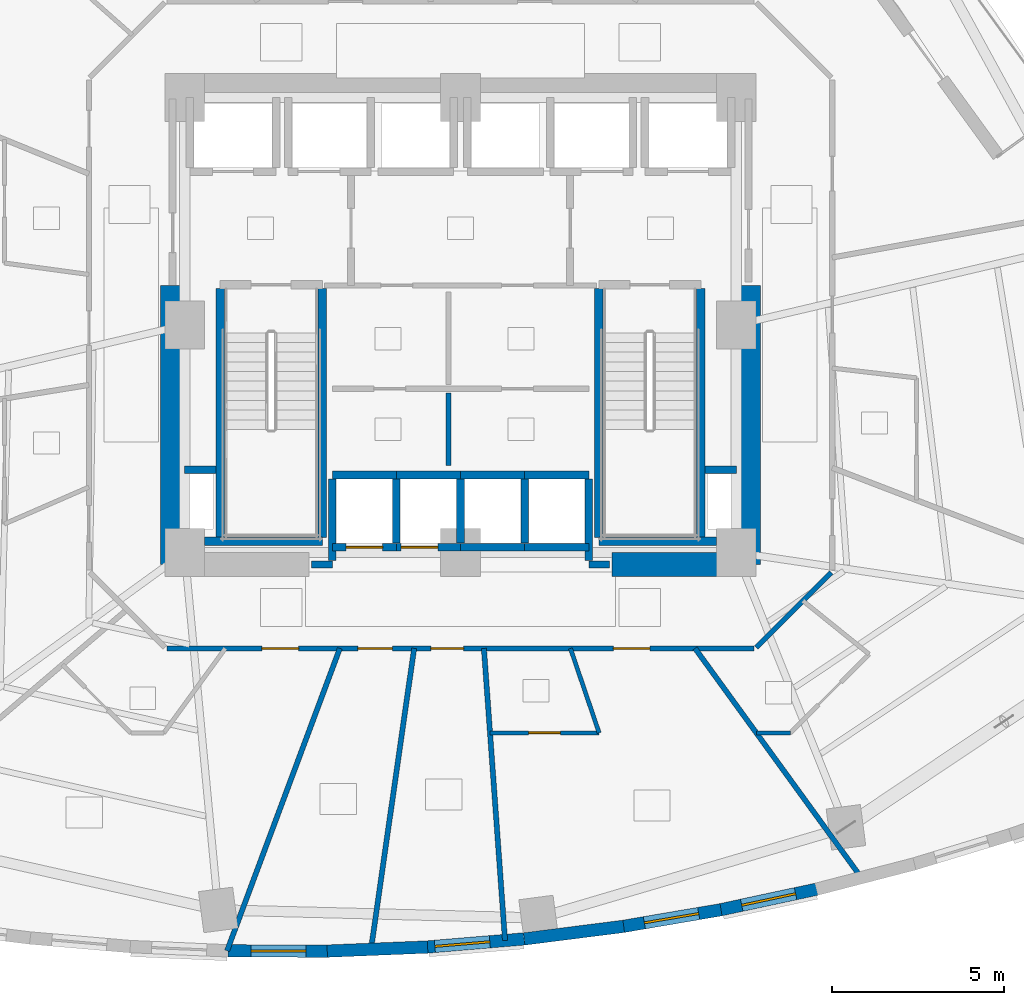
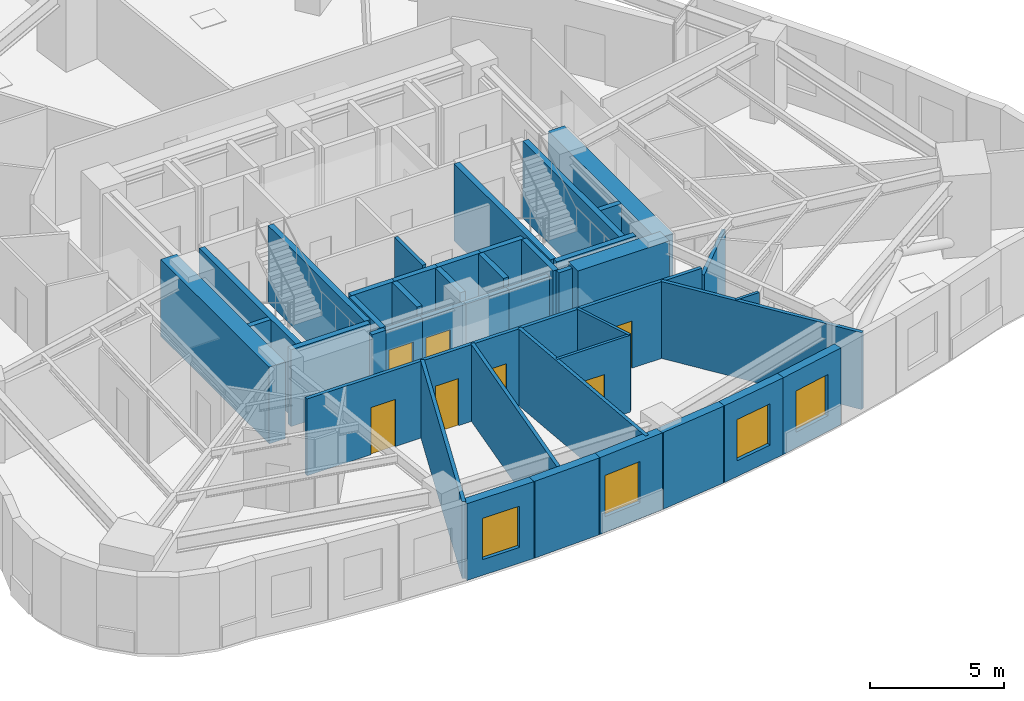
# One storey, part 9 of 15: 42 walls, 7 doors, 4 windows, 11 openings.
"""IFC4 building model written with IfcOpenShell, lengths in metres."""

from ifc_helpers import new_model, si_unit, direction, frame, frame_2d, origin, place, context, subcontext, project, spatial, rectangle, extrude, material, layer, layer_set, type_object, element, fill, save


model = new_model("IFC4")

# Units and contexts
model_context = context("Model", 3, precision=1e-05, world=origin(), true_north=direction((0.0, 1.0)))
body_context = subcontext(model_context, "Body", "Model", "MODEL_VIEW")
ifc_project = project(units=[si_unit("LENGTHUNIT", "METRE"), si_unit("AREAUNIT", "SQUARE_METRE"), si_unit("VOLUMEUNIT", "CUBIC_METRE"), si_unit("PLANEANGLEUNIT", "RADIAN"), si_unit("MASSUNIT", "GRAM", prefix="KILO")], contexts=[model_context])

# Site, building, storey
site_placement = place(None, origin())
site = spatial("IfcSite", under=ifc_project, at=site_placement, CompositionType="ELEMENT")
building_placement = place(site_placement, origin())
building = spatial("IfcBuilding", under=site, at=building_placement, Name="Ndelora Gate Hotel", CompositionType="ELEMENT")
storey_placement = place(building_placement, frame((0.0, 0.0, 56.75)))
storey = spatial("IfcBuildingStorey", under=building, at=storey_placement, Name="L13", CompositionType="ELEMENT", Elevation=56.75)

# Wall, opening, window
ifc_material_1 = material(Name="Clay Brick Masonry", Category="masonry")
ifc_layer_1 = layer(ifc_material_1, 0.360107421875)
ifc_layer_set_1 = layer_set([ifc_layer_1], Name="Clay Brick Masonry")
wall_type_1 = type_object("IfcWallType", Name="WL-BRICK-360", PredefinedType="SOLIDWALL", material=ifc_layer_set_1)
wall_1_placement = place(storey_placement, frame((-3.81591796875, -18.160400390625, 0.0), z_axis=(0.0, 0.0, 1.0), x_axis=(-0.999998606938, 0.001669168097, 0.0)))
wall_1 = element("IfcWall", 1, at=wall_1_placement, inside=storey, type_object=wall_type_1, Name="L13 Tower Brick Pier-and-Spandrel Wall TWR-32", PredefinedType="SOLIDWALL", context=body_context, shape_type="SweptSolid", body=[
    extrude(rectangle(XDim=2.92529296875, YDim=0.360107421875, at=frame_2d((1.462646484375, 0.0))), origin(), (0.0, 0.0, 1.0), 3.5),
])
opening_1_placement = place(wall_1_placement, frame((0.66259765625, 0.0, 0.719970703125)))
opening_1 = element("IfcOpeningElement", 2, at=opening_1_placement, cuts=wall_1, Name="Opening W01", PredefinedType="OPENING", context=body_context, shape_type="SweptSolid", body=[
    extrude(rectangle(XDim=1.60009765625, YDim=1.8798828125, at=frame_2d((0.800048828125, 0.93994140625))), frame((0.0, 0.18994140625, 0.0), z_axis=(0.0, -1.0, 0.0), x_axis=(1.0, 0.0, 0.0)), (0.0, 0.0, 1.0), 0.380126953125),
])
ifc_material_2 = material(Name="Insulated Low-E Double Glazing in Bronze Aluminium Frame", Category="aluminium")
window_type_1 = type_object("IfcWindowType", Name="WN-DEEP-1600", PartitioningType="SINGLE_PANEL", PredefinedType="WINDOW", material=ifc_material_2)
window_1_placement = place(opening_1_placement, origin())
window_1 = element("IfcWindow", 3, at=window_1_placement, inside=storey, type_object=window_type_1, Name="L13 Deep-Set Brick-Pier Window W01", OverallHeight=1.8798828125, OverallWidth=1.60009765625, PartitioningType="SINGLE_PANEL", PredefinedType="WINDOW", context=body_context, shape_type="SweptSolid", body=[
    extrude(rectangle(XDim=1.60009765625, YDim=1.8798828125, at=frame_2d((0.800048828125, 0.93994140625))), frame((0.0, 0.030029296875, 0.0), z_axis=(0.0, -1.0, 0.0), x_axis=(1.0, 0.0, 0.0)), (0.0, 0.0, 1.0), 0.06005859375),
])
fill(opening_1, window_1)

# Wall
wall_2_placement = place(storey_placement, frame((-0.953369140625, -18.04296875, 0.0), z_axis=(0.0, 0.0, 1.0), x_axis=(-0.99917451841, -0.040623660108, 0.0)))
element("IfcWall", 4, at=wall_2_placement, inside=storey, type_object=wall_type_1, Name="L13 Tower Brick Pier-and-Spandrel Wall TWR-33", PredefinedType="SOLIDWALL", context=body_context, shape_type="SweptSolid", body=[
    extrude(rectangle(XDim=2.914794921875, YDim=0.360107421875, at=frame_2d((1.45751953125, 0.0))), origin(), (0.0, 0.0, 1.0), 3.5),
])

# Wall, opening, window
wall_3_placement = place(storey_placement, frame((1.896484375, -17.8037109375, 0.0), z_axis=(0.0, 0.0, 1.0), x_axis=(-0.996530117069, -0.08323296086, 0.0)))
wall_3 = element("IfcWall", 5, at=wall_3_placement, inside=storey, type_object=wall_type_1, Name="L13 Tower Brick Pier-and-Spandrel Wall TWR-34", PredefinedType="SOLIDWALL", context=body_context, shape_type="SweptSolid", body=[
    extrude(rectangle(XDim=2.90966796875, YDim=0.360107421875, at=frame_2d((1.454833984375, 0.0))), origin(), (0.0, 0.0, 1.0), 3.5),
])
opening_2_placement = place(wall_3_placement, frame((1.0498046875, 0.0, 0.719970703125)))
opening_2 = element("IfcOpeningElement", 6, at=opening_2_placement, cuts=wall_3, Name="Opening W01", PredefinedType="OPENING", context=body_context, shape_type="SweptSolid", body=[
    extrude(rectangle(XDim=1.60009765625, YDim=1.8798828125, at=frame_2d((0.800048828125, 0.93994140625))), frame((0.0, 0.18994140625, 0.0), z_axis=(0.0, -1.0, 0.0), x_axis=(1.0, 0.0, 0.0)), (0.0, 0.0, 1.0), 0.380126953125),
])
window_2_placement = place(opening_2_placement, origin())
window_2 = element("IfcWindow", 7, at=window_2_placement, inside=storey, type_object=window_type_1, Name="L13 Deep-Set Brick-Pier Window W01", OverallHeight=1.8798828125, OverallWidth=1.60009765625, PartitioningType="SINGLE_PANEL", PredefinedType="WINDOW", context=body_context, shape_type="SweptSolid", body=[
    extrude(rectangle(XDim=1.60009765625, YDim=1.8798828125, at=frame_2d((0.800048828125, 0.93994140625))), frame((0.0, 0.030029296875, 0.0), z_axis=(0.0, -1.0, 0.0), x_axis=(1.0, 0.0, 0.0)), (0.0, 0.0, 1.0), 0.06005859375),
])
fill(opening_2, window_2)

# Wall
wall_4_placement = place(storey_placement, frame((4.733154296875, -17.443115234375, 0.0), z_axis=(0.0, 0.0, 1.0), x_axis=(-0.992068644888, -0.125697270578, 0.0)))
element("IfcWall", 8, at=wall_4_placement, inside=storey, type_object=wall_type_1, Name="L13 Tower Brick Pier-and-Spandrel Wall TWR-35", PredefinedType="SOLIDWALL", context=body_context, shape_type="SweptSolid", body=[
    extrude(rectangle(XDim=2.90966796875, YDim=0.360107421875, at=frame_2d((1.454833984375, 0.0))), origin(), (0.0, 0.0, 1.0), 3.5),
])

# Wall, opening, window
wall_5_placement = place(storey_placement, frame((7.55712890625, -16.960693359375, 0.0), z_axis=(0.0, 0.0, 1.0), x_axis=(-0.985782819652, -0.168024499637, 0.0)))
wall_5 = element("IfcWall", 9, at=wall_5_placement, inside=storey, type_object=wall_type_1, Name="L13 Tower Brick Pier-and-Spandrel Wall TWR-36", PredefinedType="SOLIDWALL", context=body_context, shape_type="SweptSolid", body=[
    extrude(rectangle(XDim=2.914794921875, YDim=0.360107421875, at=frame_2d((1.45751953125, 0.0))), origin(), (0.0, 0.0, 1.0), 3.5),
])
opening_3_placement = place(wall_5_placement, frame((0.657470703125, 0.0, 0.719970703125)))
opening_3 = element("IfcOpeningElement", 10, at=opening_3_placement, cuts=wall_5, Name="Opening W01", PredefinedType="OPENING", context=body_context, shape_type="SweptSolid", body=[
    extrude(rectangle(XDim=1.60009765625, YDim=1.8798828125, at=frame_2d((0.800048828125, 0.93994140625))), frame((0.0, 0.18994140625, 0.0), z_axis=(0.0, -1.0, 0.0), x_axis=(1.0, 0.0, 0.0)), (0.0, 0.0, 1.0), 0.380126953125),
])
window_3_placement = place(opening_3_placement, origin())
window_3 = element("IfcWindow", 11, at=window_3_placement, inside=storey, type_object=window_type_1, Name="L13 Deep-Set Brick-Pier Window W01", OverallHeight=1.8798828125, OverallWidth=1.60009765625, PartitioningType="SINGLE_PANEL", PredefinedType="WINDOW", context=body_context, shape_type="SweptSolid", body=[
    extrude(rectangle(XDim=1.60009765625, YDim=1.8798828125, at=frame_2d((0.800048828125, 0.93994140625))), frame((0.0, 0.030029296875, 0.0), z_axis=(0.0, -1.0, 0.0), x_axis=(1.0, 0.0, 0.0)), (0.0, 0.0, 1.0), 0.06005859375),
])
fill(opening_3, window_3)

wall_6_placement = place(storey_placement, frame((10.368408203125, -16.357177734375, 0.0), z_axis=(0.0, 0.0, 1.0), x_axis=(-0.977791419792, -0.209580388826, 0.0)))
wall_6 = element("IfcWall", 12, at=wall_6_placement, inside=storey, type_object=wall_type_1, Name="L13 Tower Brick Pier-and-Spandrel Wall TWR-37", PredefinedType="SOLIDWALL", context=body_context, shape_type="SweptSolid", body=[
    extrude(rectangle(XDim=2.925048828125, YDim=0.360107421875, at=frame_2d((1.46240234375, 0.0))), origin(), (0.0, 0.0, 1.0), 3.5),
])
opening_4_placement = place(wall_6_placement, frame((0.66259765625, 0.0, 0.719970703125)))
opening_4 = element("IfcOpeningElement", 13, at=opening_4_placement, cuts=wall_6, Name="Opening W03", PredefinedType="OPENING", context=body_context, shape_type="SweptSolid", body=[
    extrude(rectangle(XDim=1.60009765625, YDim=1.8798828125, at=frame_2d((0.800048828125, 0.93994140625))), frame((0.0, 0.18994140625, 0.0), z_axis=(0.0, -1.0, 0.0), x_axis=(1.0, 0.0, 0.0)), (0.0, 0.0, 1.0), 0.380126953125),
])
window_type_2 = type_object("IfcWindowType", Name="WN-CORN-2100", PartitioningType="SINGLE_PANEL", PredefinedType="WINDOW", material=ifc_material_2)
window_4_placement = place(opening_4_placement, origin())
window_4 = element("IfcWindow", 14, at=window_4_placement, inside=storey, type_object=window_type_2, Name="L13 Deep-Set Brick-Pier Window W03", OverallHeight=1.8798828125, OverallWidth=1.60009765625, PartitioningType="SINGLE_PANEL", PredefinedType="WINDOW", context=body_context, shape_type="SweptSolid", body=[
    extrude(rectangle(XDim=1.60009765625, YDim=1.8798828125, at=frame_2d((0.800048828125, 0.93994140625))), frame((0.0, 0.030029296875, 0.0), z_axis=(0.0, -1.0, 0.0), x_axis=(1.0, 0.0, 0.0)), (0.0, 0.0, 1.0), 0.06005859375),
])
fill(opening_4, window_4)

# Walls
ifc_material_3 = material(Name="Concrete C60/75", Category="concrete")
ifc_layer_2 = layer(ifc_material_3, 0.699951171875)
ifc_layer_set_2 = layer_set([ifc_layer_2], Name="Concrete C60/75")
wall_type_2 = type_object("IfcWallType", Name="WL-CORE-700", PredefinedType="SHEAR", material=ifc_layer_set_2)
wall_7_placement = place(storey_placement, frame((4.39990234375, -6.949951171875, 0.0), z_axis=(0.0, 0.0, 1.0), x_axis=(1.0, 0.0, 0.0)))
element("IfcWall", 15, at=wall_7_placement, inside=storey, type_object=wall_type_2, Name="L13 Core Shear Wall S-E", PredefinedType="SHEAR", context=body_context, shape_type="SweptSolid", body=[
    extrude(rectangle(XDim=3.9501953125, YDim=0.699951171875, at=frame_2d((1.97509765625, 0.0))), origin(), (0.0, 0.0, 1.0), 3.5),
])
for number, where, z_axis, x_axis, name in (
    (16, (-8.35009765625, -6.949951171875, 0.0), (0.0, 0.0, 1.0), (0.0, 1.0, 0.0), "L13 Core Shear Wall W"),
    (17, (8.35009765625, -6.949951171875, 0.0), (0.0, 0.0, 1.0), (0.0, 1.0, 0.0), "L13 Core Shear Wall E"),
):
    element("IfcWall", number, at=place(storey_placement, frame(where, z_axis=z_axis, x_axis=x_axis)), inside=storey, type_object=wall_type_2, Name=name, PredefinedType="SHEAR", context=body_context, shape_type="SweptSolid", body=[
        extrude(rectangle(XDim=8.099853515625, YDim=0.699951171875, at=frame_2d((4.0498046875, 0.0))), origin(), (0.0, 0.0, 1.0), 3.5),
    ])
ifc_material_4 = material(Name="Concrete C40/50", Category="concrete")
ifc_layer_3 = layer(ifc_material_4, 0.199951171875)
ifc_layer_set_3 = layer_set([ifc_layer_3], Name="Concrete C40/50")
wall_type_3 = type_object("IfcWallType", Name="WL-FIRE-200", PredefinedType="PARTITIONING", material=ifc_layer_set_3)
for number, where, z_axis, x_axis, name in (
    (18, (-4.320068359375, -6.949951171875, 0.0), (0.0, 0.0, 1.0), (1.0, 0.0, 0.0), "L13 Interior Wall IW-2"),
    (19, (3.719970703125, -6.949951171875, 0.0), (0.0, 0.0, 1.0), (1.0, 0.0, 0.0), "L13 Interior Wall IW-2"),
):
    element("IfcWall", number, at=place(storey_placement, frame(where, z_axis=z_axis, x_axis=x_axis)), inside=storey, type_object=wall_type_3, Name=name, PredefinedType="PARTITIONING", context=body_context, shape_type="SweptSolid", body=[
        extrude(rectangle(XDim=0.60009765625, YDim=0.199951171875, at=frame_2d((0.300048828125, 0.0))), origin(), (0.0, 0.0, 1.0), 3.5),
    ])
ifc_material_5 = material(Name="Fire-Rated Gypsum Stud Partition", Category="gypsum")
ifc_layer_4 = layer(ifc_material_5, 0.14990234375)
ifc_layer_set_4 = layer_set([ifc_layer_4], Name="Fire-Rated Gypsum Stud Partition")
wall_type_4 = type_object("IfcWallType", Name="WL-PART-150", PredefinedType="PARTITIONING", material=ifc_layer_set_4)
wall_8_placement = place(storey_placement, frame((-0.35009765625, -4.080078125, 0.0), z_axis=(0.0, 0.0, 1.0), x_axis=(0.0, 1.0, 0.0)))
element("IfcWall", 20, at=wall_8_placement, inside=storey, type_object=wall_type_4, Name="L13 Interior Wall IW-5", PredefinedType="PARTITIONING", context=body_context, shape_type="SweptSolid", body=[
    extrude(rectangle(XDim=2.110107421875, YDim=0.14990234375, at=frame_2d((1.05517578125, 0.0))), origin(), (0.0, 0.0, 1.0), 3.5),
])

# Wall, openings, doors
wall_9_placement = place(storey_placement, frame((8.510009765625, -9.3798828125, 0.0), z_axis=(0.0, 0.0, 1.0), x_axis=(-1.0, 0.0, 0.0)))
wall_9 = element("IfcWall", 21, at=wall_9_placement, inside=storey, type_object=wall_type_4, Name="L13 Interior Wall IW-5", PredefinedType="PARTITIONING", context=body_context, shape_type="SweptSolid", body=[
    extrude(rectangle(XDim=17.02001953125, YDim=0.14990234375, at=frame_2d((8.510009765625, 0.0))), origin(), (0.0, 0.0, 1.0), 3.5),
])
opening_5_placement = place(wall_9_placement, frame((8.4189453125, 0.0, 0.0)))
opening_5 = element("IfcOpeningElement", 22, at=opening_5_placement, cuts=wall_9, Name="Opening D05", PredefinedType="OPENING", context=body_context, shape_type="SweptSolid", body=[
    extrude(rectangle(XDim=0.949951171875, YDim=2.10009765625, at=frame_2d((0.47509765625, 1.050048828125))), frame((0.0, 0.0849609375, 0.0), z_axis=(0.0, -1.0, 0.0), x_axis=(1.0, 0.0, 0.0)), (0.0, 0.0, 1.0), 0.169921875),
])
opening_6_placement = place(wall_9_placement, frame((10.48779296875, 0.0, 0.0)))
opening_6 = element("IfcOpeningElement", 23, at=opening_6_placement, cuts=wall_9, Name="Opening D01", PredefinedType="OPENING", context=body_context, shape_type="SweptSolid", body=[
    extrude(rectangle(XDim=1.0, YDim=2.14990234375, at=frame_2d((0.5, 1.074951171875))), frame((0.0, 0.0849609375, 0.0), z_axis=(0.0, -1.0, 0.0), x_axis=(1.0, 0.0, 0.0)), (0.0, 0.0, 1.0), 0.169921875),
])
opening_7_placement = place(wall_9_placement, frame((3.015380859375, 0.0, 0.0)))
opening_7 = element("IfcOpeningElement", 24, at=opening_7_placement, cuts=wall_9, Name="Opening D07", PredefinedType="OPENING", context=body_context, shape_type="SweptSolid", body=[
    extrude(rectangle(XDim=1.06005859375, YDim=2.14990234375, at=frame_2d((0.530029296875, 1.074951171875))), frame((0.0, 0.0849609375, 0.0), z_axis=(0.0, -1.0, 0.0), x_axis=(1.0, 0.0, 0.0)), (0.0, 0.0, 1.0), 0.169921875),
])
opening_8_placement = place(wall_9_placement, frame((13.208984375, 0.0, 0.0)))
opening_8 = element("IfcOpeningElement", 25, at=opening_8_placement, cuts=wall_9, Name="Opening D07", PredefinedType="OPENING", context=body_context, shape_type="SweptSolid", body=[
    extrude(rectangle(XDim=1.06005859375, YDim=2.14990234375, at=frame_2d((0.530029296875, 1.074951171875))), frame((0.0, 0.0849609375, 0.0), z_axis=(0.0, -1.0, 0.0), x_axis=(1.0, 0.0, 0.0)), (0.0, 0.0, 1.0), 0.169921875),
])
ifc_material_6 = material(Name="Accessible Restroom Wide-Clearance Door", Category="wood")
door_type_1 = type_object("IfcDoorType", Name="DR-ACC-950", OperationType="SINGLE_SWING_LEFT", PredefinedType="DOOR", material=ifc_material_6)
door_1_placement = place(opening_5_placement, origin())
door_1 = element("IfcDoor", 26, at=door_1_placement, inside=storey, type_object=door_type_1, Name="L13 Accessible WC Entrance Door", OperationType="SINGLE_SWING_RIGHT", OverallHeight=2.10009765625, OverallWidth=0.949951171875, PredefinedType="DOOR", context=body_context, shape_type="SweptSolid", body=[
    extrude(rectangle(XDim=0.949951171875, YDim=2.10009765625, at=frame_2d((0.47509765625, 1.050048828125))), frame((0.0, 0.02490234375, 0.0), z_axis=(0.0, -1.0, 0.0), x_axis=(1.0, 0.0, 0.0)), (0.0, 0.0, 1.0), 0.050048828125),
])
fill(opening_5, door_1)
ifc_material_7 = material(Name="Acoustic Hardwood Guest Entrance Door", Category="wood")
door_type_2 = type_object("IfcDoorType", Name="DR-COR-1000", OperationType="SINGLE_SWING_LEFT", PredefinedType="DOOR", material=ifc_material_7)
door_2_placement = place(opening_6_placement, origin())
door_2 = element("IfcDoor", 27, at=door_2_placement, inside=storey, type_object=door_type_2, Name="L13 Housekeeping and Linen Room Entrance Door", OperationType="SINGLE_SWING_LEFT", OverallHeight=2.14990234375, OverallWidth=1.0, PredefinedType="DOOR", context=body_context, shape_type="SweptSolid", body=[
    extrude(rectangle(XDim=1.0, YDim=2.14990234375, at=frame_2d((0.5, 1.074951171875))), frame((0.0, 0.02490234375, 0.0), z_axis=(0.0, -1.0, 0.0), x_axis=(1.0, 0.0, 0.0)), (0.0, 0.0, 1.0), 0.050048828125),
])
fill(opening_6, door_2)
ifc_material_8 = material(Name="Diplomatic Suite Acoustic Entrance Door", Category="wood")
door_type_3 = type_object("IfcDoorType", Name="DR-SUITE-1060", OperationType="SINGLE_SWING_LEFT", PredefinedType="DOOR", material=ifc_material_8)
door_3_placement = place(opening_7_placement, origin())
door_3 = element("IfcDoor", 28, at=door_3_placement, inside=storey, type_object=door_type_3, Name="L13 Corner Panorama Suite 1601 Entrance Door", OperationType="SINGLE_SWING_RIGHT", OverallHeight=2.14990234375, OverallWidth=1.06005859375, PredefinedType="DOOR", context=body_context, shape_type="SweptSolid", body=[
    extrude(rectangle(XDim=1.06005859375, YDim=2.14990234375, at=frame_2d((0.530029296875, 1.074951171875))), frame((0.0, 0.02490234375, 0.0), z_axis=(0.0, -1.0, 0.0), x_axis=(1.0, 0.0, 0.0)), (0.0, 0.0, 1.0), 0.050048828125),
])
fill(opening_7, door_3)
door_4_placement = place(opening_8_placement, origin())
door_4 = element("IfcDoor", 29, at=door_4_placement, inside=storey, type_object=door_type_3, Name="L13 Twin Junior Suite 1607 Entrance Door", OperationType="SINGLE_SWING_RIGHT", OverallHeight=2.14990234375, OverallWidth=1.06005859375, PredefinedType="DOOR", context=body_context, shape_type="SweptSolid", body=[
    extrude(rectangle(XDim=1.06005859375, YDim=2.14990234375, at=frame_2d((0.530029296875, 1.074951171875))), frame((0.0, 0.02490234375, 0.0), z_axis=(0.0, -1.0, 0.0), x_axis=(1.0, 0.0, 0.0)), (0.0, 0.0, 1.0), 0.050048828125),
])
fill(opening_8, door_4)

# Walls
wall_10_placement = place(storey_placement, frame((10.751708984375, -7.17822265625, 0.0), z_axis=(0.0, 0.0, 1.0), x_axis=(-0.707067066127, -0.707146494016, 0.0)))
element("IfcWall", 30, at=wall_10_placement, inside=storey, type_object=wall_type_4, Name="L13 Interior Wall IW-5", PredefinedType="PARTITIONING", context=body_context, shape_type="SweptSolid", body=[
    extrude(rectangle(XDim=3.07373046875, YDim=0.14990234375, at=frame_2d((1.536865234375, 0.0))), origin(), (0.0, 0.0, 1.0), 3.1201171875),
])
wall_11_placement = place(storey_placement, frame((0.678466796875, -9.3798828125, 0.0), z_axis=(0.0, 0.0, 1.0), x_axis=(0.072123053532, -0.997395741493, 0.0)))
element("IfcWall", 31, at=wall_11_placement, inside=storey, type_object=wall_type_4, Name="L13 Interior Wall IW-5", PredefinedType="PARTITIONING", context=body_context, shape_type="SweptSolid", body=[
    extrude(rectangle(XDim=8.49658203125, YDim=0.14990234375, at=frame_2d((4.248291015625, 0.0))), origin(), (0.0, 0.0, 1.0), 3.5),
])
wall_12_placement = place(storey_placement, frame((6.802490234375, -9.3798828125, 0.0), z_axis=(0.0, 0.0, 1.0), x_axis=(0.587056194983, -0.80954618394, 0.0)))
element("IfcWall", 32, at=wall_12_placement, inside=storey, type_object=wall_type_4, Name="L13 Interior Wall IW-5", PredefinedType="PARTITIONING", context=body_context, shape_type="SweptSolid", body=[
    extrude(rectangle(XDim=8.215576171875, YDim=0.14990234375, at=frame_2d((4.10791015625, 0.0))), origin(), (0.0, 0.0, 1.0), 3.5),
])
wall_13_placement = place(storey_placement, frame((-3.49951171875, -9.3798828125, 0.0), z_axis=(0.0, 0.0, 1.0), x_axis=(-0.349539963134, -0.936921455711, 0.0)))
element("IfcWall", 33, at=wall_13_placement, inside=storey, type_object=wall_type_4, Name="L13 Interior Wall IW-5", PredefinedType="PARTITIONING", context=body_context, shape_type="SweptSolid", body=[
    extrude(rectangle(XDim=9.363525390625, YDim=0.14990234375, at=frame_2d((4.681640625, 0.0))), origin(), (0.0, 0.0, 1.0), 3.5),
])
wall_14_placement = place(storey_placement, frame((-1.34521484375, -9.3798828125, 0.0), z_axis=(0.0, 0.0, 1.0), x_axis=(-0.141956162639, -0.989872945326, 0.0)))
element("IfcWall", 34, at=wall_14_placement, inside=storey, type_object=wall_type_4, Name="L13 Interior Wall IW-5", PredefinedType="PARTITIONING", context=body_context, shape_type="SweptSolid", body=[
    extrude(rectangle(XDim=8.8193359375, YDim=0.14990234375, at=frame_2d((4.40966796875, 0.0))), origin(), (0.0, 0.0, 1.0), 3.5),
])
ifc_layer_5 = layer(ifc_material_4, 0.219970703125)
ifc_layer_set_5 = layer_set([ifc_layer_5], Name="Concrete C40/50")
wall_type_5 = type_object("IfcWallType", Name="WL-SHAFT-220", PredefinedType="PARTITIONING", material=ifc_layer_set_5)
for number, where, z_axis, x_axis, name in (
    (35, (-8.0, -4.199951171875, 0.0), (0.0, 0.0, 1.0), (1.0, 0.0, 0.0), "L13 Interior Wall IW-1"),
    (36, (7.090087890625, -4.199951171875, 0.0), (0.0, 0.0, 1.0), (1.0, 0.0, 0.0), "L13 Interior Wall IW-1"),
):
    element("IfcWall", number, at=place(storey_placement, frame(where, z_axis=z_axis, x_axis=x_axis)), inside=storey, type_object=wall_type_5, Name=name, PredefinedType="PARTITIONING", context=body_context, shape_type="SweptSolid", body=[
        extrude(rectangle(XDim=0.909912109375, YDim=0.219970703125, at=frame_2d((0.455078125, 0.0))), origin(), (0.0, 0.0, 1.0), 3.5),
    ])

# Wall, opening, door
wall_15_placement = place(storey_placement, frame((-3.719970703125, -6.449951171875, 0.0), z_axis=(0.0, 0.0, 1.0), x_axis=(1.0, 0.0, 0.0)))
wall_15 = element("IfcWall", 37, at=wall_15_placement, inside=storey, type_object=wall_type_5, Name="L13 Interior Wall IW-1", PredefinedType="PARTITIONING", context=body_context, shape_type="SweptSolid", body=[
    extrude(rectangle(XDim=1.85986328125, YDim=0.219970703125, at=frame_2d((0.929931640625, 0.0))), origin(), (0.0, 0.0, 1.0), 3.080078125),
])
opening_9_placement = place(wall_15_placement, frame((0.39990234375, 0.0, 0.0)))
opening_9 = element("IfcOpeningElement", 38, at=opening_9_placement, cuts=wall_15, Name="Opening LD1", PredefinedType="OPENING", context=body_context, shape_type="SweptSolid", body=[
    extrude(rectangle(XDim=1.06005859375, YDim=2.14990234375, at=frame_2d((0.530029296875, 1.074951171875))), frame((0.0, 0.1201171875, 0.0), z_axis=(0.0, -1.0, 0.0), x_axis=(1.0, 0.0, 0.0)), (0.0, 0.0, 1.0), 0.239990234375),
])
ifc_material_9 = material(Name="Brushed Bronze Stainless Lift Landing Door", Category="metal")
door_type_4 = type_object("IfcDoorType", Name="DR-LD1", OperationType="DOUBLE_DOOR_SLIDING", PredefinedType="DOOR", material=ifc_material_9)
door_5_placement = place(opening_9_placement, origin())
door_5 = element("IfcDoor", 39, at=door_5_placement, inside=storey, type_object=door_type_4, Name="L13 Lift Landing Sliding Door P1A", OperationType="DOUBLE_DOOR_SLIDING", OverallHeight=2.14990234375, OverallWidth=1.06005859375, PredefinedType="DOOR", context=body_context, shape_type="SweptSolid", body=[
    extrude(rectangle(XDim=1.06005859375, YDim=2.14990234375, at=frame_2d((0.530029296875, 1.074951171875))), frame((0.0, 0.02490234375, 0.0), z_axis=(0.0, -1.0, 0.0), x_axis=(1.0, 0.0, 0.0)), (0.0, 0.0, 1.0), 0.050048828125),
])
fill(opening_9, door_5)

# Walls
wall_16_placement = place(storey_placement, frame((-3.719970703125, -4.35009765625, 0.0), z_axis=(0.0, 0.0, 1.0), x_axis=(1.0, 0.0, 0.0)))
element("IfcWall", 40, at=wall_16_placement, inside=storey, type_object=wall_type_5, Name="L13 Interior Wall IW-1", PredefinedType="PARTITIONING", context=body_context, shape_type="SweptSolid", body=[
    extrude(rectangle(XDim=1.85986328125, YDim=0.219970703125, at=frame_2d((0.929931640625, 0.0))), origin(), (0.0, 0.0, 1.0), 3.5),
])
wall_17_placement = place(storey_placement, frame((-3.719970703125, -6.830078125, 0.0), z_axis=(0.0, 0.0, 1.0), x_axis=(0.0, 1.0, 0.0)))
element("IfcWall", 41, at=wall_17_placement, inside=storey, type_object=wall_type_5, Name="L13 Interior Wall IW-1", PredefinedType="PARTITIONING", context=body_context, shape_type="SweptSolid", body=[
    extrude(rectangle(XDim=2.360107421875, YDim=0.219970703125, at=frame_2d((1.18017578125, 0.0))), origin(), (0.0, 0.0, 1.0), 3.5),
])
wall_18_placement = place(storey_placement, frame((-1.860107421875, -6.330078125, 0.0), z_axis=(0.0, 0.0, 1.0), x_axis=(0.0, 1.0, 0.0)))
element("IfcWall", 42, at=wall_18_placement, inside=storey, type_object=wall_type_5, Name="L13 Interior Wall IW-1", PredefinedType="PARTITIONING", context=body_context, shape_type="SweptSolid", body=[
    extrude(rectangle(XDim=1.860107421875, YDim=0.219970703125, at=frame_2d((0.93017578125, 0.0))), origin(), (0.0, 0.0, 1.0), 3.5),
])

# Wall, opening, door
wall_19_placement = place(storey_placement, frame((-1.860107421875, -6.449951171875, 0.0), z_axis=(0.0, 0.0, 1.0), x_axis=(1.0, 0.0, 0.0)))
wall_19 = element("IfcWall", 43, at=wall_19_placement, inside=storey, type_object=wall_type_5, Name="L13 Interior Wall IW-1", PredefinedType="PARTITIONING", context=body_context, shape_type="SweptSolid", body=[
    extrude(rectangle(XDim=1.860107421875, YDim=0.219970703125, at=frame_2d((0.93017578125, 0.0))), origin(), (0.0, 0.0, 1.0), 3.080078125),
])
opening_10_placement = place(wall_19_placement, frame((0.139892578125, 0.0, 0.0)))
opening_10 = element("IfcOpeningElement", 44, at=opening_10_placement, cuts=wall_19, Name="Opening LD1", PredefinedType="OPENING", context=body_context, shape_type="SweptSolid", body=[
    extrude(rectangle(XDim=1.06005859375, YDim=2.14990234375, at=frame_2d((0.530029296875, 1.074951171875))), frame((0.0, 0.1201171875, 0.0), z_axis=(0.0, -1.0, 0.0), x_axis=(1.0, 0.0, 0.0)), (0.0, 0.0, 1.0), 0.239990234375),
])
door_6_placement = place(opening_10_placement, origin())
door_6 = element("IfcDoor", 45, at=door_6_placement, inside=storey, type_object=door_type_4, Name="L13 Lift Landing Sliding Door P1B", OperationType="DOUBLE_DOOR_SLIDING", OverallHeight=2.14990234375, OverallWidth=1.06005859375, PredefinedType="DOOR", context=body_context, shape_type="SweptSolid", body=[
    extrude(rectangle(XDim=1.06005859375, YDim=2.14990234375, at=frame_2d((0.530029296875, 1.074951171875))), frame((0.0, 0.02490234375, 0.0), z_axis=(0.0, -1.0, 0.0), x_axis=(1.0, 0.0, 0.0)), (0.0, 0.0, 1.0), 0.050048828125),
])
fill(opening_10, door_6)

# Walls
for number, where, z_axis, x_axis, name in (
    (46, (-1.860107421875, -4.35009765625, 0.0), (0.0, 0.0, 1.0), (1.0, 0.0, 0.0), "L13 Interior Wall IW-1"),
    (47, (0.0, -6.330078125, 0.0), (0.0, 0.0, 1.0), (0.0, 1.0, 0.0), "L13 Interior Wall IW-1"),
):
    element("IfcWall", number, at=place(storey_placement, frame(where, z_axis=z_axis, x_axis=x_axis)), inside=storey, type_object=wall_type_5, Name=name, PredefinedType="PARTITIONING", context=body_context, shape_type="SweptSolid", body=[
        extrude(rectangle(XDim=1.860107421875, YDim=0.219970703125, at=frame_2d((0.93017578125, 0.0))), origin(), (0.0, 0.0, 1.0), 3.5),
    ])
wall_20_placement = place(storey_placement, frame((0.0, -6.449951171875, 0.0), z_axis=(0.0, 0.0, 1.0), x_axis=(1.0, 0.0, 0.0)))
element("IfcWall", 48, at=wall_20_placement, inside=storey, type_object=wall_type_5, Name="L13 Interior Wall IW-1", PredefinedType="PARTITIONING", context=body_context, shape_type="SweptSolid", body=[
    extrude(rectangle(XDim=1.860107421875, YDim=0.219970703125, at=frame_2d((0.93017578125, 0.0))), origin(), (0.0, 0.0, 1.0), 3.080078125),
])
for number, where, z_axis, x_axis, name in (
    (49, (0.0, -4.35009765625, 0.0), (0.0, 0.0, 1.0), (1.0, 0.0, 0.0), "L13 Interior Wall IW-1"),
    (50, (1.860107421875, -6.330078125, 0.0), (0.0, 0.0, 1.0), (0.0, 1.0, 0.0), "L13 Interior Wall IW-1"),
):
    element("IfcWall", number, at=place(storey_placement, frame(where, z_axis=z_axis, x_axis=x_axis)), inside=storey, type_object=wall_type_5, Name=name, PredefinedType="PARTITIONING", context=body_context, shape_type="SweptSolid", body=[
        extrude(rectangle(XDim=1.860107421875, YDim=0.219970703125, at=frame_2d((0.93017578125, 0.0))), origin(), (0.0, 0.0, 1.0), 3.5),
    ])
wall_21_placement = place(storey_placement, frame((1.860107421875, -6.449951171875, 0.0), z_axis=(0.0, 0.0, 1.0), x_axis=(1.0, 0.0, 0.0)))
element("IfcWall", 51, at=wall_21_placement, inside=storey, type_object=wall_type_5, Name="L13 Interior Wall IW-1", PredefinedType="PARTITIONING", context=body_context, shape_type="SweptSolid", body=[
    extrude(rectangle(XDim=1.85986328125, YDim=0.219970703125, at=frame_2d((0.929931640625, 0.0))), origin(), (0.0, 0.0, 1.0), 3.080078125),
])
wall_22_placement = place(storey_placement, frame((1.860107421875, -4.35009765625, 0.0), z_axis=(0.0, 0.0, 1.0), x_axis=(1.0, 0.0, 0.0)))
element("IfcWall", 52, at=wall_22_placement, inside=storey, type_object=wall_type_5, Name="L13 Interior Wall IW-1", PredefinedType="PARTITIONING", context=body_context, shape_type="SweptSolid", body=[
    extrude(rectangle(XDim=1.85986328125, YDim=0.219970703125, at=frame_2d((0.929931640625, 0.0))), origin(), (0.0, 0.0, 1.0), 3.5),
])
wall_23_placement = place(storey_placement, frame((3.719970703125, -6.830078125, 0.0), z_axis=(0.0, 0.0, 1.0), x_axis=(0.0, 1.0, 0.0)))
element("IfcWall", 53, at=wall_23_placement, inside=storey, type_object=wall_type_5, Name="L13 Interior Wall IW-1", PredefinedType="PARTITIONING", context=body_context, shape_type="SweptSolid", body=[
    extrude(rectangle(XDim=2.360107421875, YDim=0.219970703125, at=frame_2d((1.18017578125, 0.0))), origin(), (0.0, 0.0, 1.0), 3.5),
])
ifc_material_10 = material(Name="Concrete C50/60", Category="concrete")
ifc_layer_6 = layer(ifc_material_10, 0.239990234375)
ifc_layer_set_6 = layer_set([ifc_layer_6], Name="Concrete C50/60")
wall_type_6 = type_object("IfcWallType", Name="WL-STAIR-240", PredefinedType="SHEAR", material=ifc_layer_set_6)
wall_24_placement = place(storey_placement, frame((-6.969970703125, -6.159912109375, 0.0), z_axis=(0.0, 0.0, 1.0), x_axis=(0.0, 1.0, 0.0)))
element("IfcWall", 54, at=wall_24_placement, inside=storey, type_object=wall_type_6, Name="L13 Stair Core Shear Wall SW-ST", PredefinedType="SHEAR", context=body_context, shape_type="SweptSolid", body=[
    extrude(rectangle(XDim=7.219970703125, YDim=0.239990234375, at=frame_2d((3.60986328125, 0.0))), origin(), (0.0, 0.0, 1.0), 3.5),
])
wall_25_placement = place(storey_placement, frame((-7.425048828125, -6.27001953125, 0.0), z_axis=(0.0, 0.0, 1.0), x_axis=(1.0, 0.0, 0.0)))
element("IfcWall", 55, at=wall_25_placement, inside=storey, type_object=wall_type_6, Name="L13 Stair Core Shear Wall SW-ST", PredefinedType="SHEAR", context=body_context, shape_type="SweptSolid", body=[
    extrude(rectangle(XDim=3.4150390625, YDim=0.239990234375, at=frame_2d((1.70751953125, 0.0))), origin(), (0.0, 0.0, 1.0), 3.5),
])
for number, where, z_axis, x_axis, name in (
    (56, (-4.010009765625, -6.159912109375, 0.0), (0.0, 0.0, 1.0), (0.0, 1.0, 0.0), "L13 Stair Core Shear Wall SW-ST"),
    (57, (4.010009765625, -6.159912109375, 0.0), (0.0, 0.0, 1.0), (0.0, 1.0, 0.0), "L13 Stair Core Shear Wall SW-ST"),
    (58, (6.969970703125, -6.159912109375, 0.0), (0.0, 0.0, 1.0), (0.0, 1.0, 0.0), "L13 Stair Core Shear Wall SW-ST"),
):
    element("IfcWall", number, at=place(storey_placement, frame(where, z_axis=z_axis, x_axis=x_axis)), inside=storey, type_object=wall_type_6, Name=name, PredefinedType="SHEAR", context=body_context, shape_type="SweptSolid", body=[
        extrude(rectangle(XDim=7.219970703125, YDim=0.239990234375, at=frame_2d((3.60986328125, 0.0))), origin(), (0.0, 0.0, 1.0), 3.5),
    ])
wall_26_placement = place(storey_placement, frame((4.010009765625, -6.27001953125, 0.0), z_axis=(0.0, 0.0, 1.0), x_axis=(1.0, 0.0, 0.0)))
element("IfcWall", 59, at=wall_26_placement, inside=storey, type_object=wall_type_6, Name="L13 Stair Core Shear Wall SW-ST", PredefinedType="SHEAR", context=body_context, shape_type="SweptSolid", body=[
    extrude(rectangle(XDim=3.4150390625, YDim=0.239990234375, at=frame_2d((1.70751953125, 0.0))), origin(), (0.0, 0.0, 1.0), 3.5),
])
ifc_material_11 = material(Name="Moisture-Resistant Bathroom Tile Partition", Category="gypsum")
ifc_layer_7 = layer(ifc_material_11, 0.1201171875)
ifc_layer_set_7 = layer_set([ifc_layer_7], Name="Moisture-Resistant Bathroom Tile Partition")
wall_type_7 = type_object("IfcWallType", Name="WL-WET-120", PredefinedType="PARTITIONING", material=ifc_layer_set_7)
wall_27_placement = place(storey_placement, frame((3.187744140625, -9.3798828125, 0.0), z_axis=(0.0, 0.0, 1.0), x_axis=(0.321797870112, -0.946808391804, 0.0)))
element("IfcWall", 60, at=wall_27_placement, inside=storey, type_object=wall_type_7, Name="L13 Interior Wall IW-7", PredefinedType="PARTITIONING", context=body_context, shape_type="SweptSolid", body=[
    extrude(rectangle(XDim=2.587890625, YDim=0.1201171875, at=frame_2d((1.2939453125, 0.0))), origin(), (0.0, 0.0, 1.0), 3.5),
])

# Wall, opening, door
wall_28_placement = place(storey_placement, frame((4.0205078125, -11.830078125, 0.0), z_axis=(0.0, 0.0, 1.0), x_axis=(-1.0, 0.0, 0.0)))
wall_28 = element("IfcWall", 61, at=wall_28_placement, inside=storey, type_object=wall_type_7, Name="L13 Interior Wall IW-7", PredefinedType="PARTITIONING", context=body_context, shape_type="SweptSolid", body=[
    extrude(rectangle(XDim=3.164794921875, YDim=0.1201171875, at=frame_2d((1.58251953125, 0.0))), origin(), (0.0, 0.0, 1.0), 3.5),
])
opening_11_placement = place(wall_28_placement, frame((1.12255859375, 0.0, 0.0)))
opening_11 = element("IfcOpeningElement", 62, at=opening_11_placement, cuts=wall_28, Name="Opening D03", PredefinedType="OPENING", context=body_context, shape_type="SweptSolid", body=[
    extrude(rectangle(XDim=0.919921875, YDim=2.10009765625, at=frame_2d((0.4599609375, 1.050048828125))), frame((0.0, 0.070068359375, 0.0), z_axis=(0.0, -1.0, 0.0), x_axis=(1.0, 0.0, 0.0)), (0.0, 0.0, 1.0), 0.14013671875),
])
ifc_material_12 = material(Name="Moisture-Resistant Hardwood En-Suite Door", Category="wood")
door_type_5 = type_object("IfcDoorType", Name="DR-BATH-920", OperationType="SINGLE_SWING_LEFT", PredefinedType="DOOR", material=ifc_material_12)
door_7_placement = place(opening_11_placement, origin())
door_7 = element("IfcDoor", 63, at=door_7_placement, inside=storey, type_object=door_type_5, Name="L13 En-suite Bathroom 1601 Door", OperationType="SINGLE_SWING_RIGHT", OverallHeight=2.10009765625, OverallWidth=0.919921875, PredefinedType="DOOR", context=body_context, shape_type="SweptSolid", body=[
    extrude(rectangle(XDim=0.919921875, YDim=2.10009765625, at=frame_2d((0.4599609375, 1.050048828125))), frame((0.0, 0.02490234375, 0.0), z_axis=(0.0, -1.0, 0.0), x_axis=(1.0, 0.0, 0.0)), (0.0, 0.0, 1.0), 0.050048828125),
])
fill(opening_11, door_7)

# Wall
wall_29_placement = place(storey_placement, frame((8.5791015625, -11.830078125, 0.0), z_axis=(0.0, 0.0, 1.0), x_axis=(1.0, 0.0, 0.0)))
element("IfcWall", 64, at=wall_29_placement, inside=storey, type_object=wall_type_7, Name="L13 Interior Wall IW-7", PredefinedType="PARTITIONING", context=body_context, shape_type="SweptSolid", body=[
    extrude(rectangle(XDim=0.985595703125, YDim=0.1201171875, at=frame_2d((0.49267578125, 0.0))), origin(), (0.0, 0.0, 1.0), 3.5),
])

save(model, "model.ifc")
